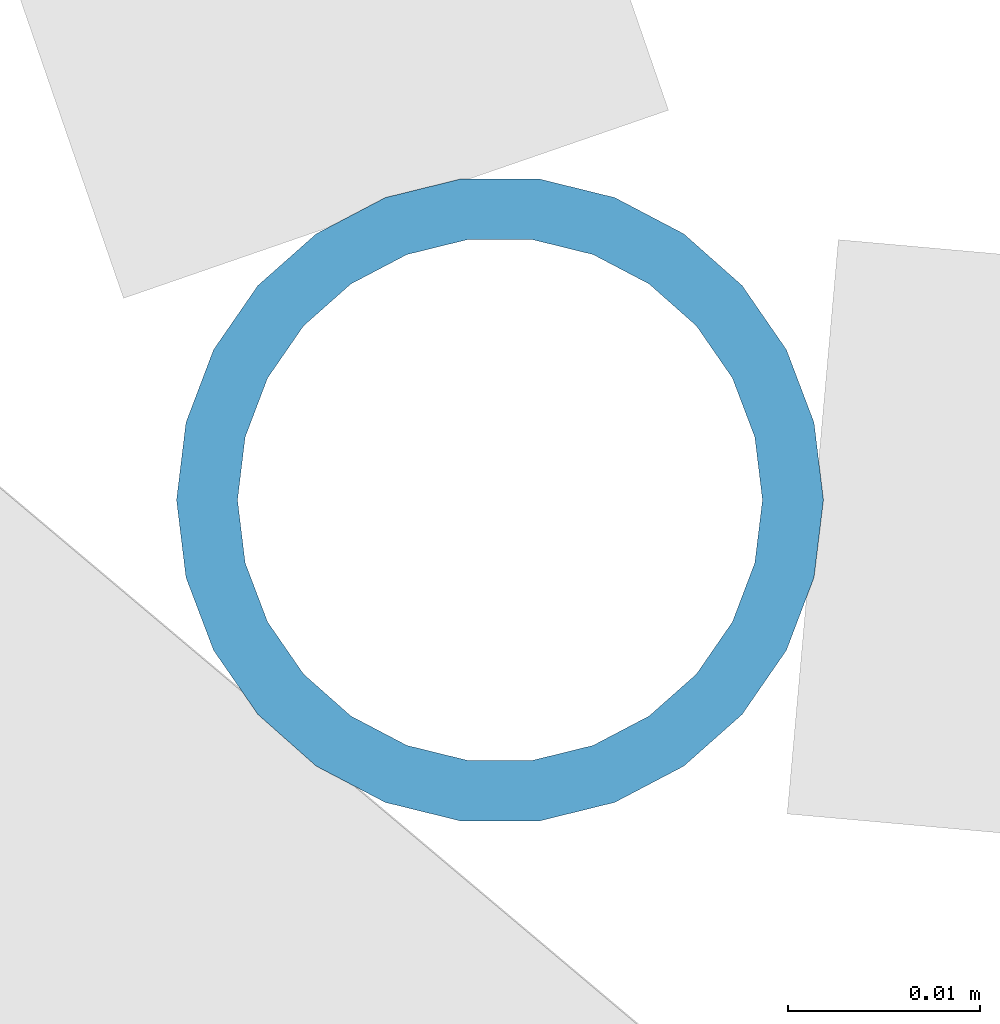
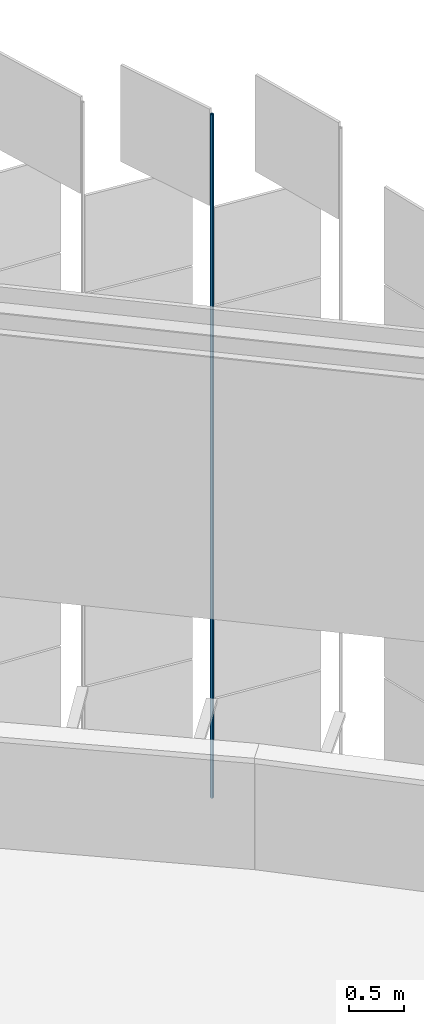
# One storey, part 316 of 483: 1 discrete accessory.
"""IFC4 building model written with IfcOpenShell, lengths in metres."""

from ifc_helpers import new_model, si_unit, direction, frame, origin, origin_2d, place, context, subcontext, project, spatial, hollow_circle, extrude, material, material_profile, profile_set, type_object, element, save


model = new_model("IFC4")

# Units and contexts
model_context = context("Model", 3, precision=1e-05, world=origin(), true_north=direction((0.0, 1.0)))
body_context = subcontext(model_context, "Body", "Model", "MODEL_VIEW")
ifc_project = project(units=[si_unit("LENGTHUNIT", "METRE"), si_unit("AREAUNIT", "SQUARE_METRE"), si_unit("VOLUMEUNIT", "CUBIC_METRE"), si_unit("PLANEANGLEUNIT", "RADIAN"), si_unit("MASSUNIT", "GRAM", prefix="KILO")], contexts=[model_context])

# Site, building, storey
site_placement = place(None, origin())
site = spatial("IfcSite", under=ifc_project, at=site_placement, CompositionType="ELEMENT")
building_placement = place(site_placement, origin())
building = spatial("IfcBuilding", under=site, at=building_placement, Name="Parallax Yard Mobility Hub", CompositionType="ELEMENT")
storey_placement = place(building_placement, frame((0.0, 0.0, 13.199951171875)))
storey = spatial("IfcBuildingStorey", under=building, at=storey_placement, Name="L04", CompositionType="ELEMENT", Elevation=13.199951171875)

# Discrete accessory
ifc_material = material(Name="Steel ASTM A500 Gr C, hot-dip galvanised", Category="steel")
ifc_material_profile = material_profile(ifc_material, hollow_circle(Radius=0.016845703125, WallThickness=0.003173828125, at=origin_2d()), Name="CHS 33.7x3.2")
ifc_profile_set = profile_set([ifc_material_profile], Name="Steel ASTM A500 Gr C, hot-dip galvanised")
discrete_accessory_type = type_object("IfcDiscreteAccessoryType", Name="Hinge post CHS 33.7x3.2", PredefinedType="BRACKET", material=ifc_profile_set)
discrete_accessory_placement = place(storey_placement, frame((206.67236328125, 130.9287109375, 0.0), z_axis=(0.0, 0.0, 1.0), x_axis=(1.0, 0.0, 0.0)))
element("IfcDiscreteAccessory", 1, at=discrete_accessory_placement, inside=storey, type_object=discrete_accessory_type, Name="Hinge post bay 46.5 level L04", PredefinedType="BRACKET", context=body_context, shape_type="SweptSolid", body=[
    extrude(hollow_circle(Radius=0.016845703125, WallThickness=0.003173828125, at=origin_2d()), origin(), (0.0, 0.0, 1.0), 7.650146484375),
])

save(model, "model.ifc")
